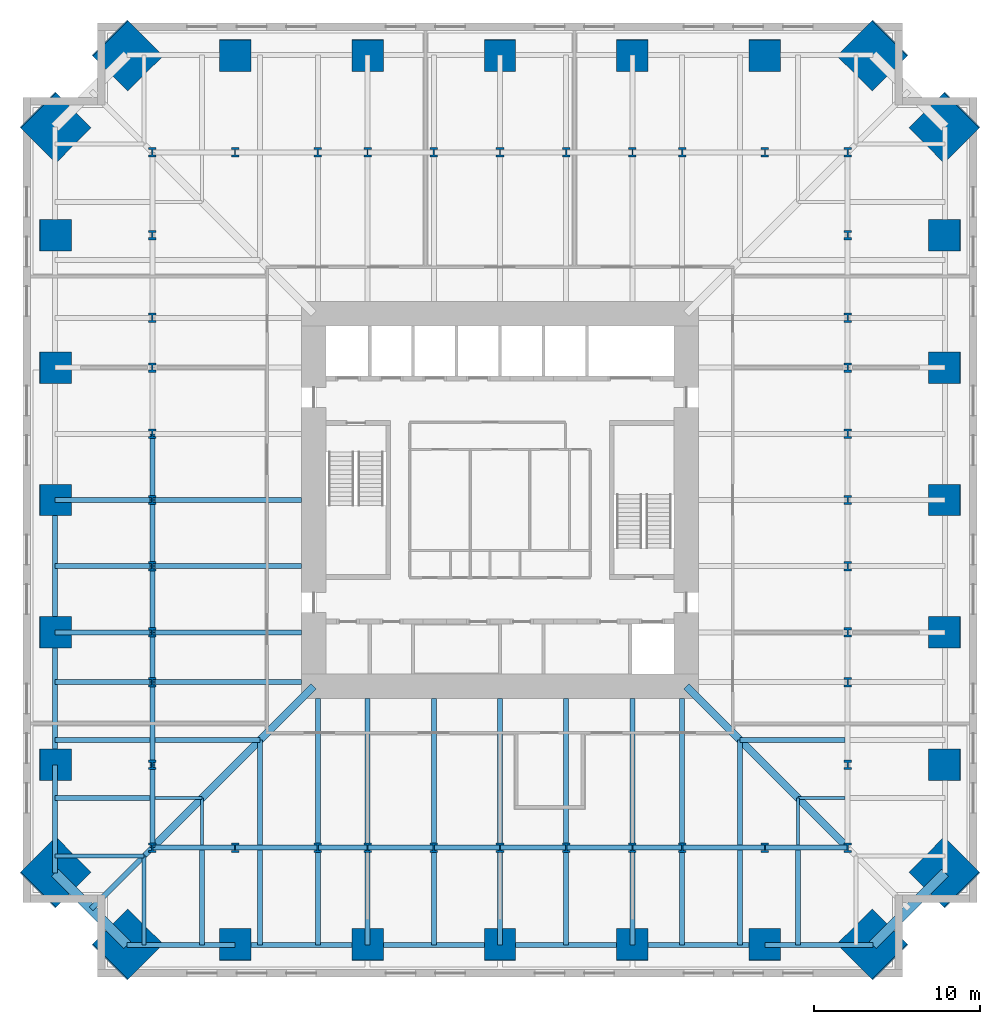
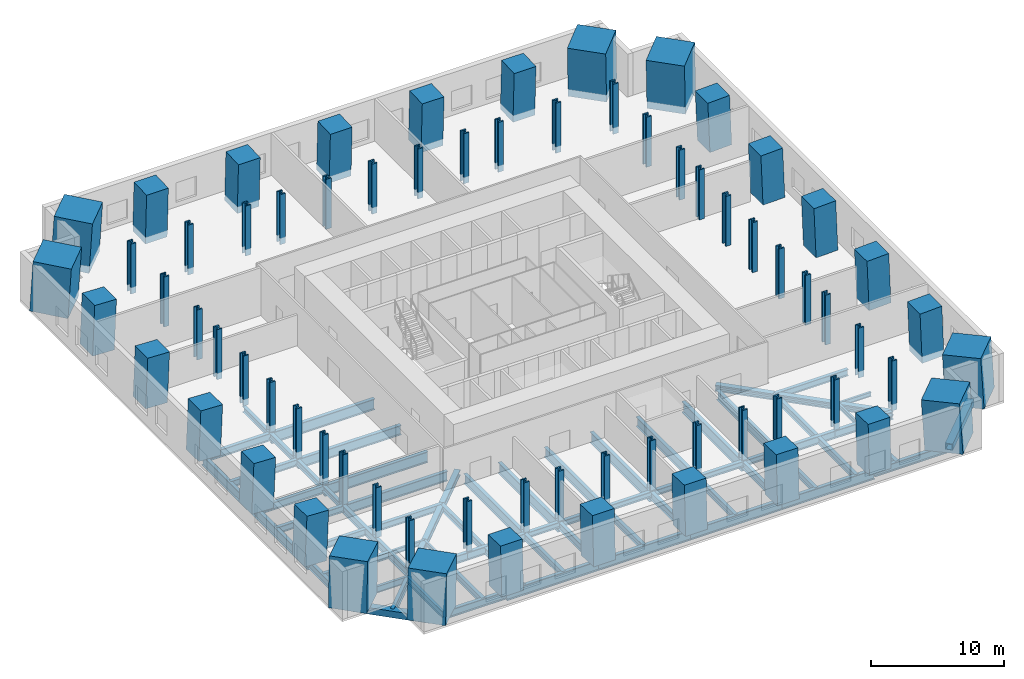
# One storey, part 1 of 9: 68 beams, 68 columns.
"""IFC4 building model written with IfcOpenShell, lengths in metres."""

from ifc_helpers import new_model, si_unit, direction, frame, origin, origin_2d, place, context, subcontext, project, spatial, rectangle, hollow_rectangle, i_section, extrude, material, material_profile, profile_set, type_object, element, save


model = new_model("IFC4")

# Units and contexts
model_context = context("Model", 3, precision=1e-05, world=origin(), true_north=direction((0.0, 1.0)))
body_context = subcontext(model_context, "Body", "Model", "MODEL_VIEW")
ifc_project = project(units=[si_unit("LENGTHUNIT", "METRE"), si_unit("AREAUNIT", "SQUARE_METRE"), si_unit("VOLUMEUNIT", "CUBIC_METRE"), si_unit("PLANEANGLEUNIT", "RADIAN"), si_unit("MASSUNIT", "GRAM", prefix="KILO")], contexts=[model_context])

# Site, building, storey
site_placement = place(None, origin())
site = spatial("IfcSite", under=ifc_project, at=site_placement, CompositionType="ELEMENT")
building_placement = place(site_placement, origin())
building = spatial("IfcBuilding", under=site, at=building_placement, Name="Peilmerk Tower", CompositionType="ELEMENT")
storey_placement = place(building_placement, frame((0.0, 0.0, 99.800048828125)))
storey = spatial("IfcBuildingStorey", under=building, at=storey_placement, Name="L19", CompositionType="ELEMENT", Elevation=99.800048828125)

# Columns
ifc_material_1 = material(Name="Concrete C90/105", Category="concrete")
ifc_material_profile_1 = material_profile(ifc_material_1, rectangle(XDim=3.0, YDim=3.0, at=origin_2d()), Name="RC 3000x3000")
ifc_profile_set_1 = profile_set([ifc_material_profile_1], Name="Concrete C90/105")
column_type_1 = type_object("IfcColumnType", Name="MC1 3000x3000 encased mega column", PredefinedType="COLUMN", material=ifc_profile_set_1)
for number, where, z_axis, x_axis, name in (
    (1, (22.5224609375, 26.87255859375, 0.0), (-0.040219183633, -0.040272173335, 0.998378970794), (0.707572135942, -0.706641119974, 0.0), "Mega column MC1 NE_N L19"),
    (2, (26.87255859375, 22.5224609375, 0.0), (-0.040272173335, -0.040219183633, 0.998378970794), (0.706641119974, -0.707572135942, 0.0), "Mega column MC1 NE_E L19"),
    (3, (26.87255859375, -22.5224609375, 0.0), (-0.040272173335, 0.040219183633, 0.998378970794), (-0.706641119974, -0.707572135942, 0.0), "Mega column MC1 SE_E L19"),
    (4, (22.5224609375, -26.87255859375, 0.0), (-0.040219183633, 0.040272173335, 0.998378970794), (-0.707572135942, -0.706641119974, 0.0), "Mega column MC1 SE_S L19"),
    (5, (-22.5224609375, -26.87255859375, 0.0), (0.040219183633, 0.040272173335, 0.998378970794), (-0.707572135942, 0.706641119974, 0.0), "Mega column MC1 SW_S L19"),
    (6, (-26.87255859375, -22.5224609375, 0.0), (0.040272173335, 0.040219183633, 0.998378970794), (-0.706641119974, 0.707572135942, 0.0), "Mega column MC1 SW_W L19"),
    (7, (-26.87255859375, 22.5224609375, 0.0), (0.040272173335, -0.040219183633, 0.998378970794), (0.706641119974, 0.707572135942, 0.0), "Mega column MC1 NW_W L19"),
    (8, (-22.5224609375, 26.87255859375, 0.0), (0.040219183633, -0.040272173335, 0.998378970794), (0.707572135942, 0.706641119974, 0.0), "Mega column MC1 NW_N L19"),
):
    element("IfcColumn", number, at=place(storey_placement, frame(where, z_axis=z_axis, x_axis=x_axis)), inside=storey, type_object=column_type_1, Name=name, PredefinedType="COLUMN", context=body_context, shape_type="SweptSolid", body=[
        extrude(rectangle(XDim=3.0, YDim=3.0, at=origin_2d()), origin(), (0.0, 0.0, 1.0), 4.607421875),
    ])
ifc_material_profile_2 = material_profile(ifc_material_1, rectangle(XDim=1.89990234375, YDim=1.89990234375, at=origin_2d()), Name="RC 1900x1900")
ifc_profile_set_2 = profile_set([ifc_material_profile_2], Name="Concrete C90/105")
column_type_2 = type_object("IfcColumnType", Name="SC5 1900x1900 encased perimeter column", PredefinedType="COLUMN", material=ifc_profile_set_2)
for number, where, z_axis, x_axis, name in (
    (9, (0.0, 26.87255859375, 0.0), (0.0, -0.04030478469, 0.999187432032), (1.0, 0.0, 0.0), "Perimeter column N+0 L19"),
    (10, (8.0, 26.87255859375, 0.0), (0.0, -0.04030478469, 0.999187432032), (1.0, 0.0, 0.0), "Perimeter column N-8 L19"),
    (11, (-8.0, 26.87255859375, 0.0), (0.0, -0.04030478469, 0.999187432032), (1.0, 0.0, 0.0), "Perimeter column N+8 L19"),
    (12, (16.0, 26.87255859375, 0.0), (0.0, -0.04030478469, 0.999187432032), (1.0, 0.0, 0.0), "Perimeter column N-16 L19"),
    (13, (-16.0, 26.87255859375, 0.0), (0.0, -0.04030478469, 0.999187432032), (1.0, 0.0, 0.0), "Perimeter column N+16 L19"),
    (14, (26.87255859375, 0.0, 0.0), (-0.04030478469, 0.0, 0.999187432032), (0.0, -1.0, 0.0), "Perimeter column E+0 L19"),
    (15, (26.87255859375, -8.0, 0.0), (-0.04030478469, 0.0, 0.999187432032), (0.0, -1.0, 0.0), "Perimeter column E-8 L19"),
    (16, (26.87255859375, 8.0, 0.0), (-0.04030478469, 0.0, 0.999187432032), (0.0, -1.0, 0.0), "Perimeter column E+8 L19"),
    (17, (26.87255859375, -16.0, 0.0), (-0.04030478469, 0.0, 0.999187432032), (0.0, -1.0, 0.0), "Perimeter column E-16 L19"),
    (18, (26.87255859375, 16.0, 0.0), (-0.04030478469, 0.0, 0.999187432032), (0.0, -1.0, 0.0), "Perimeter column E+16 L19"),
    (19, (0.0, -26.87255859375, 0.0), (0.0, 0.04030478469, 0.999187432032), (-1.0, 0.0, 0.0), "Perimeter column S+0 L19"),
    (20, (-8.0, -26.87255859375, 0.0), (0.0, 0.04030478469, 0.999187432032), (-1.0, 0.0, 0.0), "Perimeter column S-8 L19"),
    (21, (8.0, -26.87255859375, 0.0), (0.0, 0.04030478469, 0.999187432032), (-1.0, 0.0, 0.0), "Perimeter column S+8 L19"),
    (22, (-16.0, -26.87255859375, 0.0), (0.0, 0.04030478469, 0.999187432032), (-1.0, 0.0, 0.0), "Perimeter column S-16 L19"),
    (23, (16.0, -26.87255859375, 0.0), (0.0, 0.04030478469, 0.999187432032), (-1.0, 0.0, 0.0), "Perimeter column S+16 L19"),
    (24, (-26.87255859375, 0.0, 0.0), (0.04030478469, 0.0, 0.999187432032), (0.0, 1.0, 0.0), "Perimeter column W+0 L19"),
    (25, (-26.87255859375, 8.0, 0.0), (0.04030478469, 0.0, 0.999187432032), (0.0, 1.0, 0.0), "Perimeter column W-8 L19"),
    (26, (-26.87255859375, -8.0, 0.0), (0.04030478469, 0.0, 0.999187432032), (0.0, 1.0, 0.0), "Perimeter column W+8 L19"),
    (27, (-26.87255859375, 16.0, 0.0), (0.04030478469, 0.0, 0.999187432032), (0.0, 1.0, 0.0), "Perimeter column W-16 L19"),
    (28, (-26.87255859375, -16.0, 0.0), (0.04030478469, 0.0, 0.999187432032), (0.0, 1.0, 0.0), "Perimeter column W+16 L19"),
):
    element("IfcColumn", number, at=place(storey_placement, frame(where, z_axis=z_axis, x_axis=x_axis)), inside=storey, type_object=column_type_2, Name=name, PredefinedType="COLUMN", context=body_context, shape_type="SweptSolid", body=[
        extrude(rectangle(XDim=1.89990234375, YDim=1.89990234375, at=origin_2d()), origin(), (0.0, 0.0, 1.0), 4.603515625),
    ])
ifc_material_2 = material(Name="Steel S460", Category="steel")
ifc_material_profile_3 = material_profile(ifc_material_2, i_section(OverallWidth=0.4541015625, OverallDepth=0.569091796875, WebThickness=0.077880859375, FlangeThickness=0.125, at=origin_2d()), Name="HD 400x1086")
ifc_profile_set_3 = profile_set([ifc_material_profile_3], Name="Steel S460")
column_type_3 = type_object("IfcColumnType", Name="SC6 HD 400x1086 interior column", PredefinedType="COLUMN", material=ifc_profile_set_3)
for number, where, z_axis, x_axis, name in (
    (29, (0.0, 21.0, 0.0), (0.0, 0.0, 1.0), (1.0, 0.0, 0.0), "Interior column N+0 L19"),
    (30, (4.0, 21.0, 0.0), (0.0, 0.0, 1.0), (1.0, 0.0, 0.0), "Interior column N-4 L19"),
    (31, (-4.0, 21.0, 0.0), (0.0, 0.0, 1.0), (1.0, 0.0, 0.0), "Interior column N+4 L19"),
    (32, (8.0, 21.0, 0.0), (0.0, 0.0, 1.0), (1.0, 0.0, 0.0), "Interior column N-8 L19"),
    (33, (-8.0, 21.0, 0.0), (0.0, 0.0, 1.0), (1.0, 0.0, 0.0), "Interior column N+8 L19"),
    (34, (11.0, 21.0, 0.0), (0.0, 0.0, 1.0), (1.0, 0.0, 0.0), "Interior column N-11 L19"),
    (35, (-11.0, 21.0, 0.0), (0.0, 0.0, 1.0), (1.0, 0.0, 0.0), "Interior column N+11 L19"),
    (36, (16.0, 21.0, 0.0), (0.0, 0.0, 1.0), (1.0, 0.0, 0.0), "Interior column N-16 L19"),
    (37, (-16.0, 21.0, 0.0), (0.0, 0.0, 1.0), (1.0, 0.0, 0.0), "Interior column N+16 L19"),
    (38, (21.0, 0.0, 0.0), (0.0, 0.0, 1.0), (1.0, 0.0, 0.0), "Interior column E+0 L19"),
    (39, (21.0, -4.0, 0.0), (0.0, 0.0, 1.0), (1.0, 0.0, 0.0), "Interior column E-4 L19"),
    (40, (21.0, 4.0, 0.0), (0.0, 0.0, 1.0), (1.0, 0.0, 0.0), "Interior column E+4 L19"),
    (41, (21.0, -8.0, 0.0), (0.0, 0.0, 1.0), (1.0, 0.0, 0.0), "Interior column E-8 L19"),
    (42, (21.0, 8.0, 0.0), (0.0, 0.0, 1.0), (1.0, 0.0, 0.0), "Interior column E+8 L19"),
    (43, (21.0, -11.0, 0.0), (0.0, 0.0, 1.0), (1.0, 0.0, 0.0), "Interior column E-11 L19"),
    (44, (21.0, 11.0, 0.0), (0.0, 0.0, 1.0), (1.0, 0.0, 0.0), "Interior column E+11 L19"),
    (45, (21.0, -16.0, 0.0), (0.0, 0.0, 1.0), (1.0, 0.0, 0.0), "Interior column E-16 L19"),
    (46, (21.0, 16.0, 0.0), (0.0, 0.0, 1.0), (1.0, 0.0, 0.0), "Interior column E+16 L19"),
    (47, (0.0, -21.0, 0.0), (0.0, 0.0, 1.0), (1.0, 0.0, 0.0), "Interior column S+0 L19"),
    (48, (-4.0, -21.0, 0.0), (0.0, 0.0, 1.0), (1.0, 0.0, 0.0), "Interior column S-4 L19"),
    (49, (4.0, -21.0, 0.0), (0.0, 0.0, 1.0), (1.0, 0.0, 0.0), "Interior column S+4 L19"),
    (50, (-8.0, -21.0, 0.0), (0.0, 0.0, 1.0), (1.0, 0.0, 0.0), "Interior column S-8 L19"),
    (51, (8.0, -21.0, 0.0), (0.0, 0.0, 1.0), (1.0, 0.0, 0.0), "Interior column S+8 L19"),
    (52, (-11.0, -21.0, 0.0), (0.0, 0.0, 1.0), (1.0, 0.0, 0.0), "Interior column S-11 L19"),
    (53, (11.0, -21.0, 0.0), (0.0, 0.0, 1.0), (1.0, 0.0, 0.0), "Interior column S+11 L19"),
    (54, (-16.0, -21.0, 0.0), (0.0, 0.0, 1.0), (1.0, 0.0, 0.0), "Interior column S-16 L19"),
    (55, (16.0, -21.0, 0.0), (0.0, 0.0, 1.0), (1.0, 0.0, 0.0), "Interior column S+16 L19"),
    (56, (-21.0, 0.0, 0.0), (0.0, 0.0, 1.0), (1.0, 0.0, 0.0), "Interior column W+0 L19"),
    (57, (-21.0, 4.0, 0.0), (0.0, 0.0, 1.0), (1.0, 0.0, 0.0), "Interior column W-4 L19"),
    (58, (-21.0, -4.0, 0.0), (0.0, 0.0, 1.0), (1.0, 0.0, 0.0), "Interior column W+4 L19"),
    (59, (-21.0, 8.0, 0.0), (0.0, 0.0, 1.0), (1.0, 0.0, 0.0), "Interior column W-8 L19"),
    (60, (-21.0, -8.0, 0.0), (0.0, 0.0, 1.0), (1.0, 0.0, 0.0), "Interior column W+8 L19"),
    (61, (-21.0, 11.0, 0.0), (0.0, 0.0, 1.0), (1.0, 0.0, 0.0), "Interior column W-11 L19"),
    (62, (-21.0, -11.0, 0.0), (0.0, 0.0, 1.0), (1.0, 0.0, 0.0), "Interior column W+11 L19"),
    (63, (-21.0, 16.0, 0.0), (0.0, 0.0, 1.0), (1.0, 0.0, 0.0), "Interior column W-16 L19"),
    (64, (-21.0, -16.0, 0.0), (0.0, 0.0, 1.0), (1.0, 0.0, 0.0), "Interior column W+16 L19"),
    (65, (21.0, 21.0, 0.0), (0.0, 0.0, 1.0), (1.0, 0.0, 0.0), "Interior column NE L19"),
    (66, (21.0, -21.0, 0.0), (0.0, 0.0, 1.0), (1.0, 0.0, 0.0), "Interior column SE L19"),
    (67, (-21.0, -21.0, 0.0), (0.0, 0.0, 1.0), (1.0, 0.0, 0.0), "Interior column SW L19"),
    (68, (-21.0, 21.0, 0.0), (0.0, 0.0, 1.0), (1.0, 0.0, 0.0), "Interior column NW L19"),
):
    element("IfcColumn", number, at=place(storey_placement, frame(where, z_axis=z_axis, x_axis=x_axis)), inside=storey, type_object=column_type_3, Name=name, PredefinedType="COLUMN", context=body_context, shape_type="SweptSolid", body=[
        extrude(i_section(OverallWidth=0.4541015625, OverallDepth=0.569091796875, WebThickness=0.077880859375, FlangeThickness=0.125, at=origin_2d()), origin(), (0.0, 0.0, 1.0), 4.599853515625),
    ])

# Beams
ifc_material_3 = material(Name="Steel S355", Category="steel")
ifc_material_profile_4 = material_profile(ifc_material_3, i_section(OverallWidth=0.219970703125, OverallDepth=0.60009765625, WebThickness=0.011962890625, FlangeThickness=0.01904296875, at=origin_2d()), Name="IPE 600")
ifc_profile_set_4 = profile_set([ifc_material_profile_4], Name="Steel S355")
beam_type_1 = type_object("IfcBeamType", Name="B10 IPE 600 floor beam", PredefinedType="BEAM", material=ifc_profile_set_4)
for number, where, z_axis, x_axis, name in (
    (69, (-21.5, -21.5, -0.5), (0.0, -1.0, 0.0), (1.0, 0.0, 0.0), "Floor beam L19"),
    (70, (-21.5, -21.5, -0.5), (-1.0, 0.0, 0.0), (0.0, -1.0, 0.0), "Floor beam L19"),
):
    element("IfcBeam", number, at=place(storey_placement, frame(where, z_axis=z_axis, x_axis=x_axis)), inside=storey, type_object=beam_type_1, Name=name, PredefinedType="BEAM", context=body_context, shape_type="SweptSolid", body=[
        extrude(i_section(OverallWidth=0.219970703125, OverallDepth=0.60009765625, WebThickness=0.011962890625, FlangeThickness=0.01904296875, at=origin_2d()), origin(), (0.0, 0.0, 1.0), 5.37255859375),
    ])
ifc_material_profile_5 = material_profile(ifc_material_3, i_section(OverallWidth=0.300048828125, OverallDepth=0.68994140625, WebThickness=0.014404296875, FlangeThickness=0.027099609375, at=origin_2d()), Name="HEA 700")
ifc_profile_set_5 = profile_set([ifc_material_profile_5], Name="Steel S355")
beam_type_2 = type_object("IfcBeamType", Name="B16 HEA 700 floor beam", PredefinedType="BEAM", material=ifc_profile_set_5)
for number, where, z_axis, x_axis, name in (
    (71, (-8.0, -21.0, -0.545166015625), (0.0, -1.0, 0.0), (1.0, 0.0, 0.0), "Floor girder L19"),
    (72, (0.0, -21.0, -0.545166015625), (0.0, -1.0, 0.0), (1.0, 0.0, 0.0), "Floor girder L19"),
    (73, (8.0, -21.0, -0.545166015625), (0.0, -1.0, 0.0), (1.0, 0.0, 0.0), "Floor girder L19"),
    (74, (-21.0, 0.0, -0.545166015625), (-1.0, 0.0, 0.0), (0.0, -1.0, 0.0), "Floor girder L19"),
    (75, (-21.0, -8.0, -0.545166015625), (-1.0, 0.0, 0.0), (0.0, -1.0, 0.0), "Floor girder L19"),
):
    element("IfcBeam", number, at=place(storey_placement, frame(where, z_axis=z_axis, x_axis=x_axis)), inside=storey, type_object=beam_type_2, Name=name, PredefinedType="BEAM", context=body_context, shape_type="SweptSolid", body=[
        extrude(i_section(OverallWidth=0.300048828125, OverallDepth=0.68994140625, WebThickness=0.014404296875, FlangeThickness=0.027099609375, at=origin_2d()), origin(), (0.0, 0.0, 1.0), 5.87255859375),
    ])
ifc_material_profile_6 = material_profile(ifc_material_3, i_section(OverallWidth=0.303955078125, OverallDepth=0.716064453125, WebThickness=0.02099609375, FlangeThickness=0.0400390625, at=origin_2d()), Name="HEM 700")
ifc_profile_set_6 = profile_set([ifc_material_profile_6], Name="Steel S355")
beam_type_3 = type_object("IfcBeamType", Name="B19 HEM 700 ring girder", PredefinedType="BEAM", material=ifc_profile_set_6)
for number, where, z_axis, x_axis, name in (
    (76, (-21.0, -21.0, -0.55810546875), (1.0, 0.0, 0.0), (0.0, 1.0, 0.0), "Ring girder L19"),
    (77, (-16.0, -21.0, -0.55810546875), (1.0, 0.0, 0.0), (0.0, 1.0, 0.0), "Ring girder L19"),
    (78, (11.0, -21.0, -0.55810546875), (1.0, 0.0, 0.0), (0.0, 1.0, 0.0), "Ring girder L19"),
    (79, (16.0, -21.0, -0.55810546875), (1.0, 0.0, 0.0), (0.0, 1.0, 0.0), "Ring girder L19"),
    (80, (-21.0, -11.0, -0.55810546875), (0.0, -1.0, 0.0), (1.0, 0.0, 0.0), "Ring girder L19"),
    (81, (-21.0, -16.0, -0.55810546875), (0.0, -1.0, 0.0), (1.0, 0.0, 0.0), "Ring girder L19"),
):
    element("IfcBeam", number, at=place(storey_placement, frame(where, z_axis=z_axis, x_axis=x_axis)), inside=storey, type_object=beam_type_3, Name=name, PredefinedType="BEAM", context=body_context, shape_type="SweptSolid", body=[
        extrude(i_section(OverallWidth=0.303955078125, OverallDepth=0.716064453125, WebThickness=0.02099609375, FlangeThickness=0.0400390625, at=origin_2d()), origin(), (0.0, 0.0, 1.0), 5.0),
    ])
ifc_material_profile_7 = material_profile(ifc_material_3, i_section(OverallWidth=0.302001953125, OverallDepth=0.909912109375, WebThickness=0.02099609375, FlangeThickness=0.0400390625, at=origin_2d()), Name="HEM 900")
ifc_profile_set_7 = profile_set([ifc_material_profile_7], Name="Steel S355")
beam_type_4 = type_object("IfcBeamType", Name="B2 HEM 900 edge beam", PredefinedType="SPANDREL", material=ifc_profile_set_7)
for number, where, z_axis, x_axis, name in (
    (82, (-16.0, -26.87255859375, -0.655029296875), (1.0, 0.0, 0.0), (0.0, 1.0, 0.0), "Edge beam L19"),
    (83, (-8.0, -26.87255859375, -0.655029296875), (1.0, 0.0, 0.0), (0.0, 1.0, 0.0), "Edge beam L19"),
    (84, (0.0, -26.87255859375, -0.655029296875), (1.0, 0.0, 0.0), (0.0, 1.0, 0.0), "Edge beam L19"),
    (85, (8.0, -26.87255859375, -0.655029296875), (1.0, 0.0, 0.0), (0.0, 1.0, 0.0), "Edge beam L19"),
    (86, (-26.87255859375, 0.0, -0.655029296875), (0.0, -1.0, 0.0), (1.0, 0.0, 0.0), "Edge beam L19"),
    (87, (-26.87255859375, -8.0, -0.655029296875), (0.0, -1.0, 0.0), (1.0, 0.0, 0.0), "Edge beam L19"),
):
    element("IfcBeam", number, at=place(storey_placement, frame(where, z_axis=z_axis, x_axis=x_axis)), inside=storey, type_object=beam_type_4, Name=name, PredefinedType="SPANDREL", context=body_context, shape_type="SweptSolid", body=[
        extrude(i_section(OverallWidth=0.302001953125, OverallDepth=0.909912109375, WebThickness=0.02099609375, FlangeThickness=0.0400390625, at=origin_2d()), origin(), (0.0, 0.0, 1.0), 8.0),
    ])
ifc_material_profile_8 = material_profile(ifc_material_2, hollow_rectangle(XDim=0.60009765625, YDim=0.60009765625, WallThickness=0.06005859375, at=origin_2d()), Name="BOX 600x600x60")
ifc_profile_set_8 = profile_set([ifc_material_profile_8], Name="Steel S460")
beam_type_5 = type_object("IfcBeamType", Name="B20 BOX 600x600x60 notch beam", PredefinedType="SPANDREL", material=ifc_profile_set_8)
for number, where, z_axis, x_axis, name in (
    (88, (26.87255859375, -22.5224609375, -0.5), (-0.707106781187, -0.707106781187, 0.0), (0.707106781187, -0.707106781187, 0.0), "Notch beam L19"),
    (89, (-22.5224609375, -26.87255859375, -0.5), (-0.707106781187, 0.707106781187, 0.0), (-0.707106781187, -0.707106781187, 0.0), "Notch beam L19"),
):
    element("IfcBeam", number, at=place(storey_placement, frame(where, z_axis=z_axis, x_axis=x_axis)), inside=storey, type_object=beam_type_5, Name=name, PredefinedType="SPANDREL", context=body_context, shape_type="SweptSolid", body=[
        extrude(hollow_rectangle(XDim=0.60009765625, YDim=0.60009765625, WallThickness=0.06005859375, at=origin_2d()), origin(), (0.0, 0.0, 1.0), 6.15185546875),
    ])
ifc_material_profile_9 = material_profile(ifc_material_3, i_section(OverallWidth=0.302001953125, OverallDepth=1.008056640625, WebThickness=0.02099609375, FlangeThickness=0.0400390625, at=origin_2d()), Name="HEM 1000")
ifc_profile_set_9 = profile_set([ifc_material_profile_9], Name="Steel S355")
beam_type_6 = type_object("IfcBeamType", Name="B24 HEM 1000 floor girder", PredefinedType="BEAM", material=ifc_profile_set_9)
for number, where, z_axis, x_axis, name in (
    (90, (-8.0, -12.0, -0.7041015625), (0.0, -1.0, 0.0), (1.0, 0.0, 0.0), "Floor girder L19"),
    (91, (0.0, -12.0, -0.7041015625), (0.0, -1.0, 0.0), (1.0, 0.0, 0.0), "Floor girder L19"),
    (92, (8.0, -12.0, -0.7041015625), (0.0, -1.0, 0.0), (1.0, 0.0, 0.0), "Floor girder L19"),
    (93, (-12.0, 0.0, -0.7041015625), (-1.0, 0.0, 0.0), (0.0, -1.0, 0.0), "Floor girder L19"),
    (94, (-12.0, -8.0, -0.7041015625), (-1.0, 0.0, 0.0), (0.0, -1.0, 0.0), "Floor girder L19"),
):
    element("IfcBeam", number, at=place(storey_placement, frame(where, z_axis=z_axis, x_axis=x_axis)), inside=storey, type_object=beam_type_6, Name=name, PredefinedType="BEAM", context=body_context, shape_type="SweptSolid", body=[
        extrude(i_section(OverallWidth=0.302001953125, OverallDepth=1.008056640625, WebThickness=0.02099609375, FlangeThickness=0.0400390625, at=origin_2d()), origin(), (0.0, 0.0, 1.0), 9.0),
    ])
ifc_material_profile_10 = material_profile(ifc_material_3, i_section(OverallWidth=0.300048828125, OverallDepth=0.590087890625, WebThickness=0.012939453125, FlangeThickness=0.02490234375, at=origin_2d()), Name="HEA 600")
ifc_profile_set_10 = profile_set([ifc_material_profile_10], Name="Steel S355")
beam_type_7 = type_object("IfcBeamType", Name="B27 HEA 600 floor beam", PredefinedType="BEAM", material=ifc_profile_set_10)
for number, where, z_axis, x_axis, name in (
    (95, (-11.0, -21.0, -0.4951171875), (0.0, -1.0, 0.0), (1.0, 0.0, 0.0), "Floor beam L19"),
    (96, (-4.0, -21.0, -0.4951171875), (0.0, -1.0, 0.0), (1.0, 0.0, 0.0), "Floor beam L19"),
    (97, (4.0, -21.0, -0.4951171875), (0.0, -1.0, 0.0), (1.0, 0.0, 0.0), "Floor beam L19"),
    (98, (11.0, -21.0, -0.4951171875), (0.0, -1.0, 0.0), (1.0, 0.0, 0.0), "Floor beam L19"),
    (99, (-21.0, -4.0, -0.4951171875), (-1.0, 0.0, 0.0), (0.0, -1.0, 0.0), "Floor beam L19"),
    (100, (-21.0, -11.0, -0.4951171875), (-1.0, 0.0, 0.0), (0.0, -1.0, 0.0), "Floor beam L19"),
):
    element("IfcBeam", number, at=place(storey_placement, frame(where, z_axis=z_axis, x_axis=x_axis)), inside=storey, type_object=beam_type_7, Name=name, PredefinedType="BEAM", context=body_context, shape_type="SweptSolid", body=[
        extrude(i_section(OverallWidth=0.300048828125, OverallDepth=0.590087890625, WebThickness=0.012939453125, FlangeThickness=0.02490234375, at=origin_2d()), origin(), (0.0, 0.0, 1.0), 5.87255859375),
    ])
beam_1_placement = place(storey_placement, frame((14.5, -14.5, -0.4951171875), z_axis=(0.0, -1.0, 0.0), x_axis=(1.0, 0.0, 0.0)))
element("IfcBeam", 101, at=beam_1_placement, inside=storey, type_object=beam_type_7, Name="Floor beam L19", PredefinedType="BEAM", context=body_context, shape_type="SweptSolid", body=[
    extrude(i_section(OverallWidth=0.300048828125, OverallDepth=0.590087890625, WebThickness=0.012939453125, FlangeThickness=0.02490234375, at=origin_2d()), origin(), (0.0, 0.0, 1.0), 6.347900390625),
])
beam_2_placement = place(storey_placement, frame((14.5, -21.152099609375, -0.4951171875), z_axis=(0.0, -1.0, 0.0), x_axis=(1.0, 0.0, 0.0)))
element("IfcBeam", 102, at=beam_2_placement, inside=storey, type_object=beam_type_7, Name="Floor beam L19", PredefinedType="BEAM", context=body_context, shape_type="SweptSolid", body=[
    extrude(i_section(OverallWidth=0.300048828125, OverallDepth=0.590087890625, WebThickness=0.012939453125, FlangeThickness=0.02490234375, at=origin_2d()), origin(), (0.0, 0.0, 1.0), 5.720458984375),
])
beam_3_placement = place(storey_placement, frame((14.5, -14.5, -0.4951171875), z_axis=(1.0, 0.0, 0.0), x_axis=(0.0, 1.0, 0.0)))
element("IfcBeam", 103, at=beam_3_placement, inside=storey, type_object=beam_type_7, Name="Floor beam L19", PredefinedType="BEAM", context=body_context, shape_type="SweptSolid", body=[
    extrude(i_section(OverallWidth=0.300048828125, OverallDepth=0.590087890625, WebThickness=0.012939453125, FlangeThickness=0.02490234375, at=origin_2d()), origin(), (0.0, 0.0, 1.0), 6.347900390625),
])
beam_4_placement = place(storey_placement, frame((18.0, -21.152099609375, -0.4951171875), z_axis=(0.0, -1.0, 0.0), x_axis=(1.0, 0.0, 0.0)))
element("IfcBeam", 104, at=beam_4_placement, inside=storey, type_object=beam_type_7, Name="Floor beam L19", PredefinedType="BEAM", context=body_context, shape_type="SweptSolid", body=[
    extrude(i_section(OverallWidth=0.300048828125, OverallDepth=0.590087890625, WebThickness=0.012939453125, FlangeThickness=0.02490234375, at=origin_2d()), origin(), (0.0, 0.0, 1.0), 5.720458984375),
])
beam_5_placement = place(storey_placement, frame((-14.5, -14.5, -0.4951171875), z_axis=(0.0, -1.0, 0.0), x_axis=(1.0, 0.0, 0.0)))
element("IfcBeam", 105, at=beam_5_placement, inside=storey, type_object=beam_type_7, Name="Floor beam L19", PredefinedType="BEAM", context=body_context, shape_type="SweptSolid", body=[
    extrude(i_section(OverallWidth=0.300048828125, OverallDepth=0.590087890625, WebThickness=0.012939453125, FlangeThickness=0.02490234375, at=origin_2d()), origin(), (0.0, 0.0, 1.0), 6.347900390625),
])
beam_6_placement = place(storey_placement, frame((-14.5, -21.152099609375, -0.4951171875), z_axis=(0.0, -1.0, 0.0), x_axis=(1.0, 0.0, 0.0)))
element("IfcBeam", 106, at=beam_6_placement, inside=storey, type_object=beam_type_7, Name="Floor beam L19", PredefinedType="BEAM", context=body_context, shape_type="SweptSolid", body=[
    extrude(i_section(OverallWidth=0.300048828125, OverallDepth=0.590087890625, WebThickness=0.012939453125, FlangeThickness=0.02490234375, at=origin_2d()), origin(), (0.0, 0.0, 1.0), 5.720458984375),
])
beam_7_placement = place(storey_placement, frame((-14.5, -14.5, -0.4951171875), z_axis=(-1.0, 0.0, 0.0), x_axis=(0.0, -1.0, 0.0)))
element("IfcBeam", 107, at=beam_7_placement, inside=storey, type_object=beam_type_7, Name="Floor beam L19", PredefinedType="BEAM", context=body_context, shape_type="SweptSolid", body=[
    extrude(i_section(OverallWidth=0.300048828125, OverallDepth=0.590087890625, WebThickness=0.012939453125, FlangeThickness=0.02490234375, at=origin_2d()), origin(), (0.0, 0.0, 1.0), 6.347900390625),
])
for number, where, z_axis, x_axis, name in (
    (108, (-21.152099609375, -14.5, -0.4951171875), (-1.0, 0.0, 0.0), (0.0, -1.0, 0.0), "Floor beam L19"),
    (109, (-18.0, -21.152099609375, -0.4951171875), (0.0, -1.0, 0.0), (1.0, 0.0, 0.0), "Floor beam L19"),
    (110, (-21.152099609375, -18.0, -0.4951171875), (-1.0, 0.0, 0.0), (0.0, -1.0, 0.0), "Floor beam L19"),
):
    element("IfcBeam", number, at=place(storey_placement, frame(where, z_axis=z_axis, x_axis=x_axis)), inside=storey, type_object=beam_type_7, Name=name, PredefinedType="BEAM", context=body_context, shape_type="SweptSolid", body=[
        extrude(i_section(OverallWidth=0.300048828125, OverallDepth=0.590087890625, WebThickness=0.012939453125, FlangeThickness=0.02490234375, at=origin_2d()), origin(), (0.0, 0.0, 1.0), 5.720458984375),
    ])
ifc_material_profile_11 = material_profile(ifc_material_3, i_section(OverallWidth=0.179931640625, OverallDepth=0.39990234375, WebThickness=0.008544921875, FlangeThickness=0.013427734375, at=origin_2d()), Name="IPE 400")
ifc_profile_set_11 = profile_set([ifc_material_profile_11], Name="Steel S355")
beam_type_8 = type_object("IfcBeamType", Name="B28 IPE 400 floor beam", PredefinedType="BEAM", material=ifc_profile_set_11)
for number, where, z_axis, x_axis, name in (
    (111, (18.0, -18.0, -0.400146484375), (0.0, -1.0, 0.0), (1.0, 0.0, 0.0), "Floor beam L19"),
    (112, (18.0, -18.0, -0.400146484375), (1.0, 0.0, 0.0), (0.0, 1.0, 0.0), "Floor beam L19"),
    (113, (-18.0, -18.0, -0.400146484375), (0.0, -1.0, 0.0), (1.0, 0.0, 0.0), "Floor beam L19"),
    (114, (-18.0, -18.0, -0.400146484375), (-1.0, 0.0, 0.0), (0.0, -1.0, 0.0), "Floor beam L19"),
):
    element("IfcBeam", number, at=place(storey_placement, frame(where, z_axis=z_axis, x_axis=x_axis)), inside=storey, type_object=beam_type_8, Name=name, PredefinedType="BEAM", context=body_context, shape_type="SweptSolid", body=[
        extrude(i_section(OverallWidth=0.179931640625, OverallDepth=0.39990234375, WebThickness=0.008544921875, FlangeThickness=0.013427734375, at=origin_2d()), origin(), (0.0, 0.0, 1.0), 2.847900390625),
    ])
ifc_material_profile_12 = material_profile(ifc_material_3, i_section(OverallWidth=0.300048828125, OverallDepth=0.7900390625, WebThickness=0.014892578125, FlangeThickness=0.028076171875, at=origin_2d()), Name="HEA 800")
ifc_profile_set_12 = profile_set([ifc_material_profile_12], Name="Steel S355")
beam_type_9 = type_object("IfcBeamType", Name="B3 HEA 800 floor beam", PredefinedType="BEAM", material=ifc_profile_set_12)
beam_8_placement = place(storey_placement, frame((-21.0, -21.0, -0.594970703125), z_axis=(-0.707106781187, -0.707106781187, 0.0), x_axis=(0.707106781187, -0.707106781187, 0.0)))
element("IfcBeam", 115, at=beam_8_placement, inside=storey, type_object=beam_type_9, Name="Corner girder L19", PredefinedType="BEAM", context=body_context, shape_type="SweptSolid", body=[
    extrude(i_section(OverallWidth=0.300048828125, OverallDepth=0.7900390625, WebThickness=0.014892578125, FlangeThickness=0.028076171875, at=origin_2d()), origin(), (0.0, 0.0, 1.0), 5.22900390625),
])
ifc_material_profile_13 = material_profile(ifc_material_3, i_section(OverallWidth=0.303955078125, OverallDepth=0.716064453125, WebThickness=0.02099609375, FlangeThickness=0.0400390625, at=origin_2d()), Name="HEM 700")
ifc_profile_set_13 = profile_set([ifc_material_profile_13], Name="Steel S355")
beam_type_10 = type_object("IfcBeamType", Name="B30 HEM 700 edge beam", PredefinedType="SPANDREL", material=ifc_profile_set_13)
for number, where, z_axis, x_axis, name in (
    (116, (-22.5224609375, -26.87255859375, -0.55810546875), (1.0, 0.0, 0.0), (0.0, 1.0, 0.0), "Edge beam L19"),
    (117, (16.0, -26.87255859375, -0.55810546875), (1.0, 0.0, 0.0), (0.0, 1.0, 0.0), "Edge beam L19"),
    (118, (-26.87255859375, -16.0, -0.55810546875), (0.0, -1.0, 0.0), (1.0, 0.0, 0.0), "Edge beam L19"),
):
    element("IfcBeam", number, at=place(storey_placement, frame(where, z_axis=z_axis, x_axis=x_axis)), inside=storey, type_object=beam_type_10, Name=name, PredefinedType="SPANDREL", context=body_context, shape_type="SweptSolid", body=[
        extrude(i_section(OverallWidth=0.303955078125, OverallDepth=0.716064453125, WebThickness=0.02099609375, FlangeThickness=0.0400390625, at=origin_2d()), origin(), (0.0, 0.0, 1.0), 6.5224609375),
    ])
ifc_material_profile_14 = material_profile(ifc_material_3, i_section(OverallWidth=0.300048828125, OverallDepth=0.889892578125, WebThickness=0.01611328125, FlangeThickness=0.030029296875, at=origin_2d()), Name="HEA 900")
ifc_profile_set_14 = profile_set([ifc_material_profile_14], Name="Steel S355")
beam_type_11 = type_object("IfcBeamType", Name="B4 HEA 900 floor beam", PredefinedType="BEAM", material=ifc_profile_set_14)
for number, where, z_axis, x_axis, name in (
    (119, (-11.0, -12.0, -0.64501953125), (0.0, -1.0, 0.0), (1.0, 0.0, 0.0), "Floor beam L19"),
    (120, (-4.0, -12.0, -0.64501953125), (0.0, -1.0, 0.0), (1.0, 0.0, 0.0), "Floor beam L19"),
    (121, (4.0, -12.0, -0.64501953125), (0.0, -1.0, 0.0), (1.0, 0.0, 0.0), "Floor beam L19"),
    (122, (11.0, -12.0, -0.64501953125), (0.0, -1.0, 0.0), (1.0, 0.0, 0.0), "Floor beam L19"),
    (123, (-12.0, -4.0, -0.64501953125), (-1.0, 0.0, 0.0), (0.0, -1.0, 0.0), "Floor beam L19"),
    (124, (-12.0, -11.0, -0.64501953125), (-1.0, 0.0, 0.0), (0.0, -1.0, 0.0), "Floor beam L19"),
):
    element("IfcBeam", number, at=place(storey_placement, frame(where, z_axis=z_axis, x_axis=x_axis)), inside=storey, type_object=beam_type_11, Name=name, PredefinedType="BEAM", context=body_context, shape_type="SweptSolid", body=[
        extrude(i_section(OverallWidth=0.300048828125, OverallDepth=0.889892578125, WebThickness=0.01611328125, FlangeThickness=0.030029296875, at=origin_2d()), origin(), (0.0, 0.0, 1.0), 9.0),
    ])
ifc_material_profile_15 = material_profile(ifc_material_3, i_section(OverallWidth=0.305908203125, OverallDepth=0.52392578125, WebThickness=0.02099609375, FlangeThickness=0.0400390625, at=origin_2d()), Name="HEM 500")
ifc_profile_set_15 = profile_set([ifc_material_profile_15], Name="Steel S355")
beam_type_12 = type_object("IfcBeamType", Name="B7 HEM 500 ring girder", PredefinedType="BEAM", material=ifc_profile_set_15)
beam_9_placement = place(storey_placement, frame((-11.0, -21.0, -0.462158203125), z_axis=(1.0, 0.0, 0.0), x_axis=(0.0, 1.0, 0.0)))
element("IfcBeam", 125, at=beam_9_placement, inside=storey, type_object=beam_type_12, Name="Ring girder L19", PredefinedType="BEAM", context=body_context, shape_type="SweptSolid", body=[
    extrude(i_section(OverallWidth=0.305908203125, OverallDepth=0.52392578125, WebThickness=0.02099609375, FlangeThickness=0.0400390625, at=origin_2d()), origin(), (0.0, 0.0, 1.0), 3.0),
])
for number, where, z_axis, x_axis, name in (
    (126, (-8.0, -21.0, -0.462158203125), (1.0, 0.0, 0.0), (0.0, 1.0, 0.0), "Ring girder L19"),
    (127, (-4.0, -21.0, -0.462158203125), (1.0, 0.0, 0.0), (0.0, 1.0, 0.0), "Ring girder L19"),
    (128, (0.0, -21.0, -0.462158203125), (1.0, 0.0, 0.0), (0.0, 1.0, 0.0), "Ring girder L19"),
    (129, (4.0, -21.0, -0.462158203125), (1.0, 0.0, 0.0), (0.0, 1.0, 0.0), "Ring girder L19"),
):
    element("IfcBeam", number, at=place(storey_placement, frame(where, z_axis=z_axis, x_axis=x_axis)), inside=storey, type_object=beam_type_12, Name=name, PredefinedType="BEAM", context=body_context, shape_type="SweptSolid", body=[
        extrude(i_section(OverallWidth=0.305908203125, OverallDepth=0.52392578125, WebThickness=0.02099609375, FlangeThickness=0.0400390625, at=origin_2d()), origin(), (0.0, 0.0, 1.0), 4.0),
    ])
beam_10_placement = place(storey_placement, frame((8.0, -21.0, -0.462158203125), z_axis=(1.0, 0.0, 0.0), x_axis=(0.0, 1.0, 0.0)))
element("IfcBeam", 130, at=beam_10_placement, inside=storey, type_object=beam_type_12, Name="Ring girder L19", PredefinedType="BEAM", context=body_context, shape_type="SweptSolid", body=[
    extrude(i_section(OverallWidth=0.305908203125, OverallDepth=0.52392578125, WebThickness=0.02099609375, FlangeThickness=0.0400390625, at=origin_2d()), origin(), (0.0, 0.0, 1.0), 3.0),
])
for number, where, z_axis, x_axis, name in (
    (131, (-21.0, 4.0, -0.462158203125), (0.0, -1.0, 0.0), (1.0, 0.0, 0.0), "Ring girder L19"),
    (132, (-21.0, 0.0, -0.462158203125), (0.0, -1.0, 0.0), (1.0, 0.0, 0.0), "Ring girder L19"),
    (133, (-21.0, -4.0, -0.462158203125), (0.0, -1.0, 0.0), (1.0, 0.0, 0.0), "Ring girder L19"),
):
    element("IfcBeam", number, at=place(storey_placement, frame(where, z_axis=z_axis, x_axis=x_axis)), inside=storey, type_object=beam_type_12, Name=name, PredefinedType="BEAM", context=body_context, shape_type="SweptSolid", body=[
        extrude(i_section(OverallWidth=0.305908203125, OverallDepth=0.52392578125, WebThickness=0.02099609375, FlangeThickness=0.0400390625, at=origin_2d()), origin(), (0.0, 0.0, 1.0), 4.0),
    ])
beam_11_placement = place(storey_placement, frame((-21.0, -8.0, -0.462158203125), z_axis=(0.0, -1.0, 0.0), x_axis=(1.0, 0.0, 0.0)))
element("IfcBeam", 134, at=beam_11_placement, inside=storey, type_object=beam_type_12, Name="Ring girder L19", PredefinedType="BEAM", context=body_context, shape_type="SweptSolid", body=[
    extrude(i_section(OverallWidth=0.305908203125, OverallDepth=0.52392578125, WebThickness=0.02099609375, FlangeThickness=0.0400390625, at=origin_2d()), origin(), (0.0, 0.0, 1.0), 3.0),
])
ifc_material_profile_16 = material_profile(ifc_material_2, i_section(OverallWidth=0.4541015625, OverallDepth=0.569091796875, WebThickness=0.077880859375, FlangeThickness=0.125, at=origin_2d()), Name="HD 400x1086")
ifc_profile_set_16 = profile_set([ifc_material_profile_16], Name="Steel S460")
beam_type_13 = type_object("IfcBeamType", Name="B9 HD 400x1086 corner girder", PredefinedType="BEAM", material=ifc_profile_set_16)
for number, where, z_axis, x_axis, name in (
    (135, (11.25, -11.25, -0.484619140625), (0.707106781187, -0.707106781187, 0.0), (0.707106781187, 0.707106781187, 0.0), "Corner girder L19"),
    (136, (-11.25, -11.25, -0.484619140625), (-0.707106781187, -0.707106781187, 0.0), (0.707106781187, -0.707106781187, 0.0), "Corner girder L19"),
):
    element("IfcBeam", number, at=place(storey_placement, frame(where, z_axis=z_axis, x_axis=x_axis)), inside=storey, type_object=beam_type_13, Name=name, PredefinedType="BEAM", context=body_context, shape_type="SweptSolid", body=[
        extrude(i_section(OverallWidth=0.4541015625, OverallDepth=0.569091796875, WebThickness=0.077880859375, FlangeThickness=0.125, at=origin_2d()), origin(), (0.0, 0.0, 1.0), 13.78857421875),
    ])

save(model, "model.ifc")
